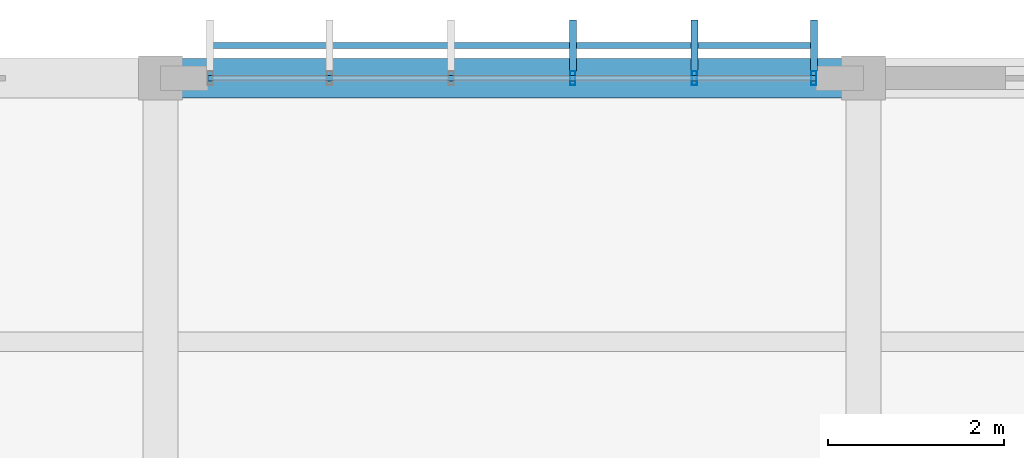
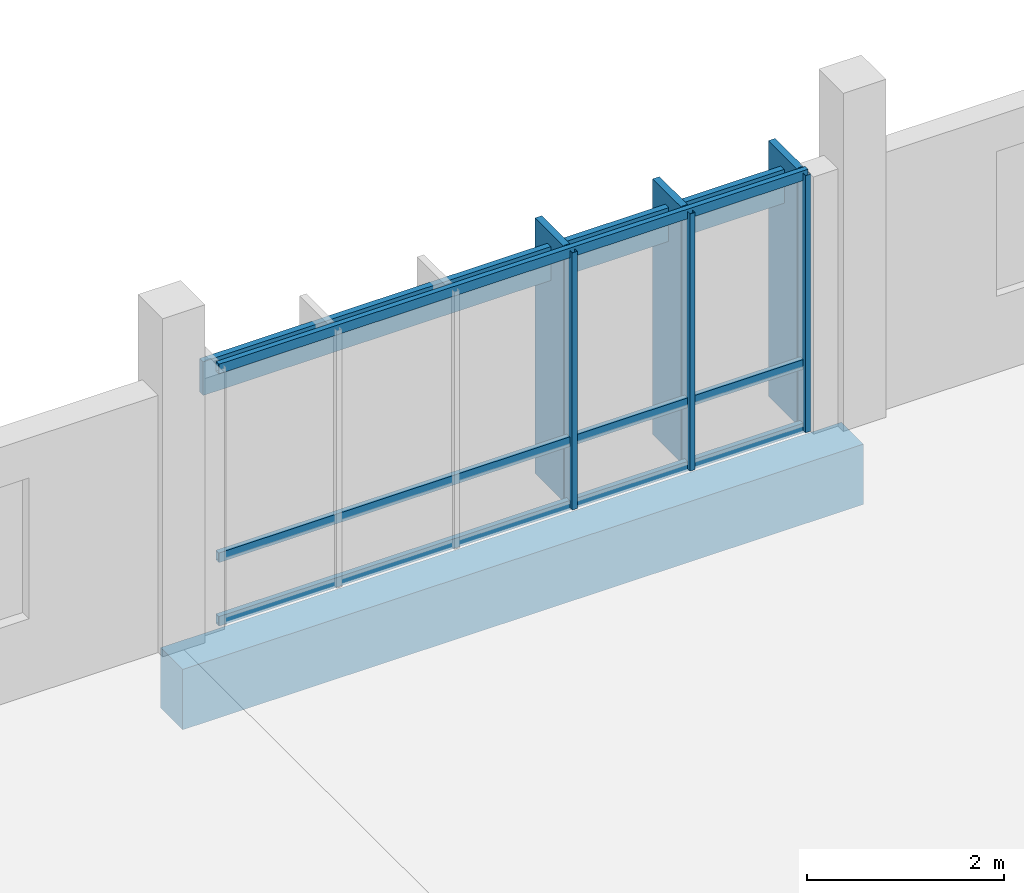
# One storey, part 65 of 107: 10 members, 1 beam, 1 element without a shape of its own.
"""IFC4 building model written with IfcOpenShell, lengths in metres."""

from ifc_helpers import new_model, si_unit, direction, frame, origin, origin_2d, place, context, subcontext, project, spatial, rectangle, hollow_rectangle, extrude, material, material_profile, profile_set, type_object, element, aggregate, save


model = new_model("IFC4")

# Units and contexts
model_context = context("Model", 3, precision=1e-05, world=origin(), true_north=direction((0.0, 1.0)))
body_context = subcontext(model_context, "Body", "Model", "MODEL_VIEW")
ifc_project = project(units=[si_unit("LENGTHUNIT", "METRE"), si_unit("AREAUNIT", "SQUARE_METRE"), si_unit("VOLUMEUNIT", "CUBIC_METRE"), si_unit("PLANEANGLEUNIT", "RADIAN"), si_unit("MASSUNIT", "GRAM", prefix="KILO")], contexts=[model_context])

# Site, building, storey
site_placement = place(None, origin())
site = spatial("IfcSite", under=ifc_project, at=site_placement, CompositionType="ELEMENT")
building_placement = place(site_placement, origin())
building = spatial("IfcBuilding", under=site, at=building_placement, Name="Chiffa Square Polytechnic", CompositionType="ELEMENT")
storey_placement = place(building_placement, frame((0.0, 0.0, 13.800048828125)))
storey = spatial("IfcBuildingStorey", under=building, at=storey_placement, Name="L03", CompositionType="ELEMENT", Elevation=13.800048828125)

# Beam
ifc_material_1 = material(Name="Concrete C35/45", Category="concrete")
ifc_material_profile_1 = material_profile(ifc_material_1, rectangle(XDim=0.449951171875, YDim=0.75, at=origin_2d()), Name="RC 450x750")
ifc_profile_set_1 = profile_set([ifc_material_profile_1], Name="Concrete C35/45")
beam_type = type_object("IfcBeamType", Name="BM-RC-450X750", PredefinedType="BEAM", material=ifc_profile_set_1)
beam_placement = place(storey_placement, frame((24.0, 130.800048828125, -0.635009765625), z_axis=(1.0, 0.0, 0.0), x_axis=(0.0, 1.0, 0.0)))
element("IfcBeam", 1, at=beam_placement, inside=storey, type_object=beam_type, Name="Primary floor girder BM-V5-L03-X-0240-1308", PredefinedType="BEAM", context=body_context, shape_type="SweptSolid", body=[
    extrude(rectangle(XDim=0.449951171875, YDim=0.75, at=origin_2d()), origin(), (0.0, 0.0, 1.0), 8.0),
])

# Curtain wall, members
ifc_material_2 = material(Name="Aluminium EN AW-6060 T66 and glulam shading", Category="wood")
curtain_wall_type = type_object("IfcCurtainWallType", Name="CW-VERT-360X380", PredefinedType="USERDEFINED", material=ifc_material_2)
curtain_wall_placement = place(storey_placement, origin())
curtain_wall = element("IfcCurtainWall", 2, at=curtain_wall_placement, inside=storey, type_object=curtain_wall_type, Name="Curtain wall CW-V5-L03-237", ObjectType="CURTAIN WALL", PredefinedType="USERDEFINED")
ifc_material_3 = material(Name="Aluminium EN AW-6060 T66", Category="aluminium")
ifc_material_profile_2 = material_profile(ifc_material_3, hollow_rectangle(XDim=0.06005859375, YDim=0.159912109375, WallThickness=0.00390625, at=origin_2d()), Name="ALU 60x160x4")
ifc_profile_set_2 = profile_set([ifc_material_profile_2], Name="Aluminium EN AW-6060 T66")
member_type_1 = type_object("IfcMemberType", Name="CWM-ALU-65X150", PredefinedType="MULLION", material=ifc_profile_set_2)
member_1_placement = place(storey_placement, frame((31.43505859375, 130.800048828125, 0.0), z_axis=(0.0, 0.0, 1.0), x_axis=(1.0, 0.0, 0.0)))
member_1 = element("IfcMember", 3, at=member_1_placement, type_object=member_type_1, Name="Curtain wall mullion CW-V5-L03-237-M00", PredefinedType="MULLION", context=body_context, shape_type="SweptSolid", body=[
    extrude(hollow_rectangle(XDim=0.06005859375, YDim=0.159912109375, WallThickness=0.00390625, at=origin_2d()), origin(), (0.0, 0.0, 1.0), 3.195068359375),
])
member_2_placement = place(storey_placement, frame((30.075927734375, 130.800048828125, 0.0), z_axis=(0.0, 0.0, 1.0), x_axis=(1.0, 0.0, 0.0)))
member_2 = element("IfcMember", 4, at=member_2_placement, type_object=member_type_1, Name="Curtain wall mullion CW-V5-L03-237-M01", PredefinedType="MULLION", context=body_context, shape_type="SweptSolid", body=[
    extrude(hollow_rectangle(XDim=0.06005859375, YDim=0.159912109375, WallThickness=0.00390625, at=origin_2d()), origin(), (0.0, 0.0, 1.0), 3.195068359375),
])
member_3_placement = place(storey_placement, frame((28.69189453125, 130.800048828125, 0.0), z_axis=(0.0, 0.0, 1.0), x_axis=(1.0, 0.0, 0.0)))
member_3 = element("IfcMember", 5, at=member_3_placement, type_object=member_type_1, Name="Curtain wall mullion CW-V5-L03-237-M02", PredefinedType="MULLION", context=body_context, shape_type="SweptSolid", body=[
    extrude(hollow_rectangle(XDim=0.06005859375, YDim=0.159912109375, WallThickness=0.00390625, at=origin_2d()), origin(), (0.0, 0.0, 1.0), 3.195068359375),
])
ifc_material_4 = material(Name="Glulam GL28h", Category="wood")
ifc_material_profile_3 = material_profile(ifc_material_4, rectangle(XDim=0.080078125, YDim=0.580078125, at=origin_2d()), Name="GL28h 80x580")
ifc_profile_set_3 = profile_set([ifc_material_profile_3], Name="Glulam GL28h")
member_type_2 = type_object("IfcMemberType", Name="CWM-GL-80X580", PredefinedType="MULLION", material=ifc_profile_set_3)
member_4_placement = place(storey_placement, frame((31.43505859375, 131.172119140625, 0.010009765625), z_axis=(0.0, 0.0, 1.0), x_axis=(-1.0, 0.0, 0.0)))
member_4 = element("IfcMember", 6, at=member_4_placement, type_object=member_type_2, Name="Exterior glulam solar fin CW-V5-L03-237-FN00", PredefinedType="MULLION", context=body_context, shape_type="SweptSolid", body=[
    extrude(rectangle(XDim=0.080078125, YDim=0.580078125, at=origin_2d()), origin(), (0.0, 0.0, 1.0), 3.175048828125),
])
member_5_placement = place(storey_placement, frame((30.075927734375, 131.172119140625, 0.010009765625), z_axis=(0.0, 0.0, 1.0), x_axis=(-1.0, 0.0, 0.0)))
member_5 = element("IfcMember", 7, at=member_5_placement, type_object=member_type_2, Name="Exterior glulam solar fin CW-V5-L03-237-FN01", PredefinedType="MULLION", context=body_context, shape_type="SweptSolid", body=[
    extrude(rectangle(XDim=0.080078125, YDim=0.580078125, at=origin_2d()), origin(), (0.0, 0.0, 1.0), 3.175048828125),
])
member_6_placement = place(storey_placement, frame((28.69189453125, 131.172119140625, 0.010009765625), z_axis=(0.0, 0.0, 1.0), x_axis=(-1.0, 0.0, 0.0)))
member_6 = element("IfcMember", 8, at=member_6_placement, type_object=member_type_2, Name="Exterior glulam solar fin CW-V5-L03-237-FN02", PredefinedType="MULLION", context=body_context, shape_type="SweptSolid", body=[
    extrude(rectangle(XDim=0.080078125, YDim=0.580078125, at=origin_2d()), origin(), (0.0, 0.0, 1.0), 3.175048828125),
])
ifc_material_profile_4 = material_profile(ifc_material_3, hollow_rectangle(XDim=0.06005859375, YDim=0.1201171875, WallThickness=0.00390625, at=origin_2d()), Name="ALU 60x120x4")
ifc_profile_set_4 = profile_set([ifc_material_profile_4], Name="Aluminium EN AW-6060 T66")
member_type_3 = type_object("IfcMemberType", Name="CWT-ALU-65X120", PredefinedType="USERDEFINED", material=ifc_profile_set_4)
member_7_placement = place(storey_placement, frame((31.4619140625, 130.800048828125, 0.030029296875), z_axis=(-1.0, 0.0, 0.0), x_axis=(0.0, -1.0, 0.0)))
member_7 = element("IfcMember", 9, at=member_7_placement, type_object=member_type_3, Name="Curtain wall transom CW-V5-L03-237-T01", ObjectType="TRANSOM", PredefinedType="USERDEFINED", context=body_context, shape_type="SweptSolid", body=[
    extrude(hollow_rectangle(XDim=0.06005859375, YDim=0.1201171875, WallThickness=0.00390625, at=origin_2d()), origin(), (0.0, 0.0, 1.0), 6.923828125),
])
member_8_placement = place(storey_placement, frame((31.4619140625, 130.800048828125, 0.820068359375), z_axis=(-1.0, 0.0, 0.0), x_axis=(0.0, -1.0, 0.0)))
member_8 = element("IfcMember", 10, at=member_8_placement, type_object=member_type_3, Name="Curtain wall transom CW-V5-L03-237-T02", ObjectType="TRANSOM", PredefinedType="USERDEFINED", context=body_context, shape_type="SweptSolid", body=[
    extrude(hollow_rectangle(XDim=0.06005859375, YDim=0.1201171875, WallThickness=0.00390625, at=origin_2d()), origin(), (0.0, 0.0, 1.0), 6.923828125),
])
member_9_placement = place(storey_placement, frame((31.4619140625, 130.800048828125, 3.1650390625), z_axis=(-1.0, 0.0, 0.0), x_axis=(0.0, -1.0, 0.0)))
member_9 = element("IfcMember", 11, at=member_9_placement, type_object=member_type_3, Name="Curtain wall transom CW-V5-L03-237-T03", ObjectType="TRANSOM", PredefinedType="USERDEFINED", context=body_context, shape_type="SweptSolid", body=[
    extrude(hollow_rectangle(XDim=0.06005859375, YDim=0.1201171875, WallThickness=0.00390625, at=origin_2d()), origin(), (0.0, 0.0, 1.0), 6.923828125),
])
ifc_material_profile_5 = material_profile(ifc_material_4, rectangle(XDim=0.070068359375, YDim=0.419921875, at=origin_2d()), Name="GL28h 70x420")
ifc_profile_set_5 = profile_set([ifc_material_profile_5], Name="Glulam GL28h")
member_type_4 = type_object("IfcMemberType", Name="CWT-GL-70X420", PredefinedType="USERDEFINED", material=ifc_profile_set_5)
member_10_placement = place(storey_placement, frame((31.43505859375, 131.172119140625, 2.81494140625), z_axis=(-1.0, 0.0, 0.0), x_axis=(0.0, -1.0, 0.0)))
member_10 = element("IfcMember", 12, at=member_10_placement, type_object=member_type_4, Name="Exterior glulam brise-soleil CW-V5-L03-237-BS01", ObjectType="TRANSOM", PredefinedType="USERDEFINED", context=body_context, shape_type="SweptSolid", body=[
    extrude(rectangle(XDim=0.070068359375, YDim=0.419921875, at=origin_2d()), origin(), (0.0, 0.0, 1.0), 6.8701171875),
])
aggregate(curtain_wall, [member_1, member_4, member_2, member_5, member_3, member_6, member_7, member_8, member_9, member_10])

save(model, "model.ifc")
